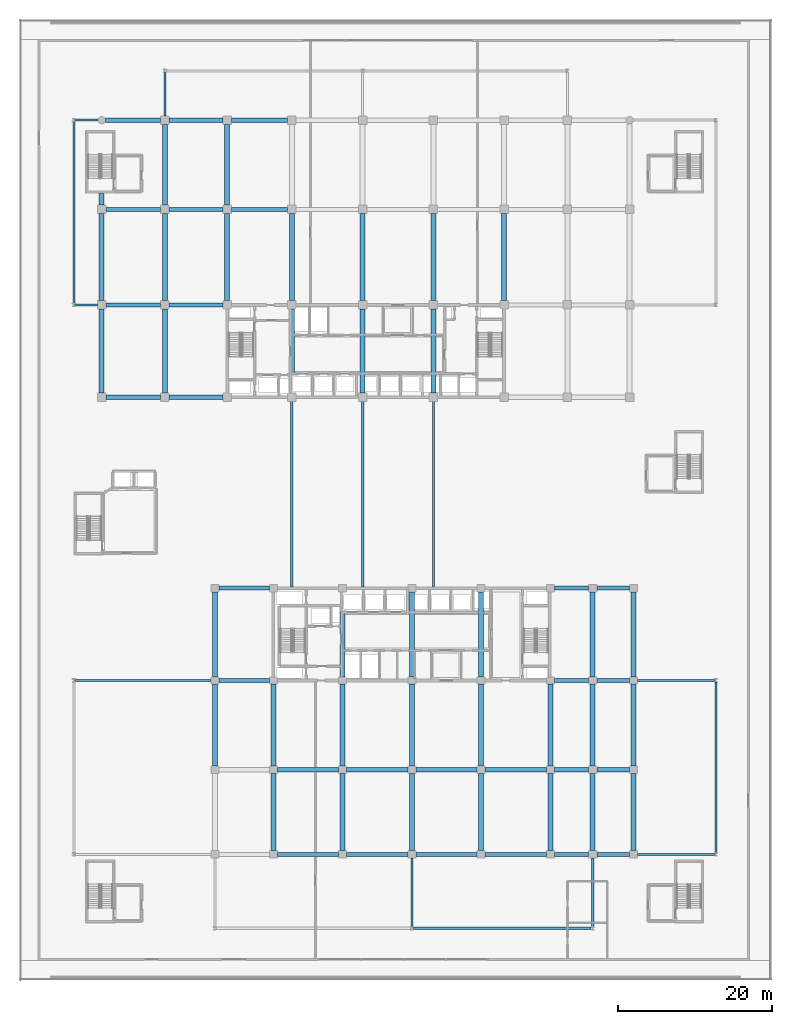
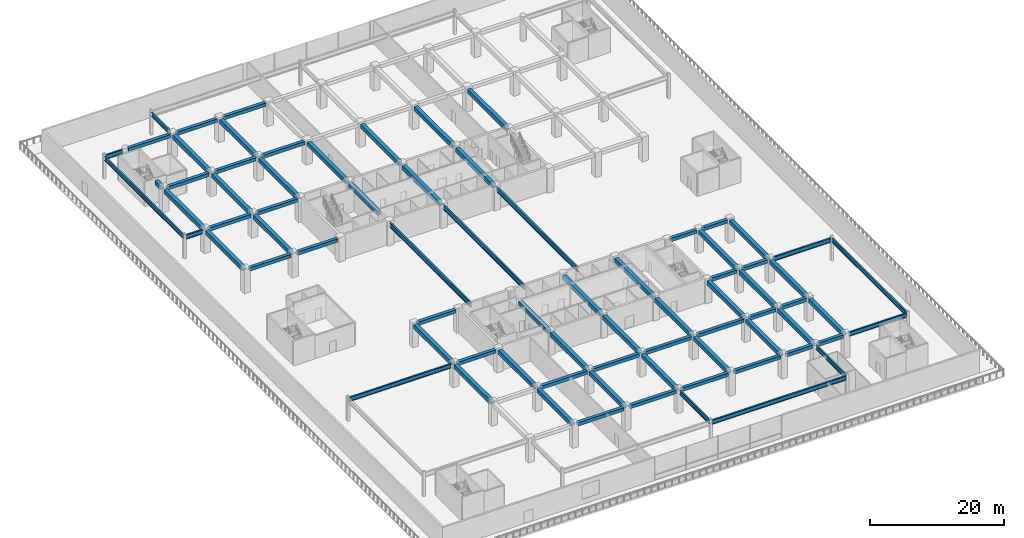
# One storey, part 11 of 40: 78 beams.
"""IFC4 building model written with IfcOpenShell, lengths in metres."""

from ifc_helpers import new_model, si_unit, direction, frame, origin, origin_2d, place, context, subcontext, project, spatial, rectangle, i_section, extrude, material, material_profile, profile_set, type_object, element, save


model = new_model("IFC4")

# Units and contexts
model_context = context("Model", 3, precision=1e-05, world=origin(), true_north=direction((0.0, 1.0)))
body_context = subcontext(model_context, "Body", "Model", "MODEL_VIEW")
ifc_project = project(units=[si_unit("LENGTHUNIT", "METRE"), si_unit("AREAUNIT", "SQUARE_METRE"), si_unit("VOLUMEUNIT", "CUBIC_METRE"), si_unit("PLANEANGLEUNIT", "RADIAN"), si_unit("MASSUNIT", "GRAM", prefix="KILO")], contexts=[model_context])

# Site, building, storey
site_placement = place(None, origin())
site = spatial("IfcSite", under=ifc_project, at=site_placement, CompositionType="ELEMENT")
building_placement = place(site_placement, origin())
building = spatial("IfcBuilding", under=site, at=building_placement, Name="Korimba Cascade Residences", CompositionType="ELEMENT")
storey_placement = place(building_placement, frame((0.0, 0.0, 14.5)))
storey = spatial("IfcBuildingStorey", under=building, at=storey_placement, Name="L03", CompositionType="ELEMENT", Elevation=14.5)

# Beams
ifc_material_1 = material(Name="Concrete C50/60", Category="concrete")
ifc_material_profile_1 = material_profile(ifc_material_1, rectangle(XDim=0.550048828125, YDim=0.60009765625, at=origin_2d()), Name="Concrete C50/60")
ifc_profile_set_1 = profile_set([ifc_material_profile_1], Name="Concrete C50/60")
beam_type_1 = type_object("IfcBeamType", Name="BM-RC-B600", PredefinedType="BEAM", material=ifc_profile_set_1)
beam_1_placement = place(storey_placement, frame((60.35009765625, 55.199951171875, 3.8798828125), z_axis=(1.0, 0.0, 0.0), x_axis=(0.0, 1.0, 0.0)))
element("IfcBeam", 1, at=beam_1_placement, inside=storey, type_object=beam_type_1, Name="L03 T1 E-W Girder Y1 Bay 1", PredefinedType="BEAM", context=body_context, shape_type="SweptSolid", body=[
    extrude(rectangle(XDim=0.550048828125, YDim=0.60009765625, at=origin_2d()), origin(), (0.0, 0.0, 1.0), 7.099853515625),
])
beam_2_placement = place(storey_placement, frame((68.550048828125, 55.199951171875, 3.8798828125), z_axis=(1.0, 0.0, 0.0), x_axis=(0.0, 1.0, 0.0)))
element("IfcBeam", 2, at=beam_2_placement, inside=storey, type_object=beam_type_1, Name="L03 T1 E-W Girder Y1 Bay 2", PredefinedType="BEAM", context=body_context, shape_type="SweptSolid", body=[
    extrude(rectangle(XDim=0.550048828125, YDim=0.60009765625, at=origin_2d()), origin(), (0.0, 0.0, 1.0), 7.0),
])
beam_3_placement = place(storey_placement, frame((60.35009765625, 67.199951171875, 3.8798828125), z_axis=(1.0, 0.0, 0.0), x_axis=(0.0, 1.0, 0.0)))
element("IfcBeam", 3, at=beam_3_placement, inside=storey, type_object=beam_type_1, Name="L03 T1 E-W Girder Y2 Bay 1", PredefinedType="BEAM", context=body_context, shape_type="SweptSolid", body=[
    extrude(rectangle(XDim=0.550048828125, YDim=0.60009765625, at=origin_2d()), origin(), (0.0, 0.0, 1.0), 7.099853515625),
])
beam_4_placement = place(storey_placement, frame((68.550048828125, 67.199951171875, 3.8798828125), z_axis=(1.0, 0.0, 0.0), x_axis=(0.0, 1.0, 0.0)))
element("IfcBeam", 4, at=beam_4_placement, inside=storey, type_object=beam_type_1, Name="L03 T1 E-W Girder Y2 Bay 2", PredefinedType="BEAM", context=body_context, shape_type="SweptSolid", body=[
    extrude(rectangle(XDim=0.550048828125, YDim=0.60009765625, at=origin_2d()), origin(), (0.0, 0.0, 1.0), 7.0),
])
beam_5_placement = place(storey_placement, frame((60.35009765625, 79.60009765625, 3.8798828125), z_axis=(1.0, 0.0, 0.0), x_axis=(0.0, 1.0, 0.0)))
element("IfcBeam", 5, at=beam_5_placement, inside=storey, type_object=beam_type_1, Name="L03 T1 E-W Girder Y3 Bay 1", PredefinedType="BEAM", context=body_context, shape_type="SweptSolid", body=[
    extrude(rectangle(XDim=0.550048828125, YDim=0.60009765625, at=origin_2d()), origin(), (0.0, 0.0, 1.0), 7.099853515625),
])
beam_6_placement = place(storey_placement, frame((68.550048828125, 79.60009765625, 3.8798828125), z_axis=(1.0, 0.0, 0.0), x_axis=(0.0, 1.0, 0.0)))
element("IfcBeam", 6, at=beam_6_placement, inside=storey, type_object=beam_type_1, Name="L03 T1 E-W Girder Y3 Bay 2", PredefinedType="BEAM", context=body_context, shape_type="SweptSolid", body=[
    extrude(rectangle(XDim=0.550048828125, YDim=0.60009765625, at=origin_2d()), origin(), (0.0, 0.0, 1.0), 7.0),
])
beam_7_placement = place(storey_placement, frame((76.64990234375, 79.60009765625, 3.8798828125), z_axis=(1.0, 0.0, 0.0), x_axis=(0.0, 1.0, 0.0)))
element("IfcBeam", 7, at=beam_7_placement, inside=storey, type_object=beam_type_1, Name="L03 T1 E-W Girder Y3 Bay 3", PredefinedType="BEAM", context=body_context, shape_type="SweptSolid", body=[
    extrude(rectangle(XDim=0.550048828125, YDim=0.60009765625, at=origin_2d()), origin(), (0.0, 0.0, 1.0), 7.300048828125),
])
beam_8_placement = place(storey_placement, frame((60.27490234375, 91.199951171875, 3.8798828125), z_axis=(1.0, 0.0, 0.0), x_axis=(0.0, 1.0, 0.0)))
element("IfcBeam", 8, at=beam_8_placement, inside=storey, type_object=beam_type_1, Name="L03 T1 E-W Girder Y4 Bay 1", PredefinedType="BEAM", context=body_context, shape_type="SweptSolid", body=[
    extrude(rectangle(XDim=0.550048828125, YDim=0.60009765625, at=origin_2d()), origin(), (0.0, 0.0, 1.0), 7.175048828125),
])
beam_9_placement = place(storey_placement, frame((68.550048828125, 91.199951171875, 3.8798828125), z_axis=(1.0, 0.0, 0.0), x_axis=(0.0, 1.0, 0.0)))
element("IfcBeam", 9, at=beam_9_placement, inside=storey, type_object=beam_type_1, Name="L03 T1 E-W Girder Y4 Bay 2", PredefinedType="BEAM", context=body_context, shape_type="SweptSolid", body=[
    extrude(rectangle(XDim=0.550048828125, YDim=0.60009765625, at=origin_2d()), origin(), (0.0, 0.0, 1.0), 7.0),
])
beam_10_placement = place(storey_placement, frame((76.64990234375, 91.199951171875, 3.8798828125), z_axis=(1.0, 0.0, 0.0), x_axis=(0.0, 1.0, 0.0)))
element("IfcBeam", 10, at=beam_10_placement, inside=storey, type_object=beam_type_1, Name="L03 T1 E-W Girder Y4 Bay 3", PredefinedType="BEAM", context=body_context, shape_type="SweptSolid", body=[
    extrude(rectangle(XDim=0.550048828125, YDim=0.60009765625, at=origin_2d()), origin(), (0.0, 0.0, 1.0), 7.300048828125),
])
for number, where, z_axis, x_axis, name in (
    (11, (82.625, -4.199951171875, 3.8798828125), (1.0, 0.0, 0.0), (0.0, 1.0, 0.0), "L03 T2 E-W Girder Y1 Bay 2"),
    (12, (91.625, -4.199951171875, 3.8798828125), (1.0, 0.0, 0.0), (0.0, 1.0, 0.0), "L03 T2 E-W Girder Y1 Bay 3"),
    (13, (100.625, -4.199951171875, 3.8798828125), (1.0, 0.0, 0.0), (0.0, 1.0, 0.0), "L03 T2 E-W Girder Y1 Bay 4"),
    (14, (109.625, -4.199951171875, 3.8798828125), (1.0, 0.0, 0.0), (0.0, 1.0, 0.0), "L03 T2 E-W Girder Y1 Bay 5"),
):
    element("IfcBeam", number, at=place(storey_placement, frame(where, z_axis=z_axis, x_axis=x_axis)), inside=storey, type_object=beam_type_1, Name=name, PredefinedType="BEAM", context=body_context, shape_type="SweptSolid", body=[
        extrude(rectangle(XDim=0.550048828125, YDim=0.60009765625, at=origin_2d()), origin(), (0.0, 0.0, 1.0), 7.949951171875),
    ])
beam_11_placement = place(storey_placement, frame((118.625, -4.199951171875, 3.8798828125), z_axis=(1.0, 0.0, 0.0), x_axis=(0.0, 1.0, 0.0)))
element("IfcBeam", 15, at=beam_11_placement, inside=storey, type_object=beam_type_1, Name="L03 T2 E-W Girder Y1 Bay 6", PredefinedType="BEAM", context=body_context, shape_type="SweptSolid", body=[
    extrude(rectangle(XDim=0.550048828125, YDim=0.60009765625, at=origin_2d()), origin(), (0.0, 0.0, 1.0), 4.449951171875),
])
beam_12_placement = place(storey_placement, frame((124.125, -4.199951171875, 3.8798828125), z_axis=(1.0, 0.0, 0.0), x_axis=(0.0, 1.0, 0.0)))
element("IfcBeam", 16, at=beam_12_placement, inside=storey, type_object=beam_type_1, Name="L03 T2 E-W Girder Y1 Bay 7", PredefinedType="BEAM", context=body_context, shape_type="SweptSolid", body=[
    extrude(rectangle(XDim=0.550048828125, YDim=0.60009765625, at=origin_2d()), origin(), (0.0, 0.0, 1.0), 4.25),
])
for number, where, z_axis, x_axis, name in (
    (17, (82.625, 6.800048828125, 3.8798828125), (1.0, 0.0, 0.0), (0.0, 1.0, 0.0), "L03 T2 E-W Girder Y2 Bay 2"),
    (18, (91.625, 6.800048828125, 3.8798828125), (1.0, 0.0, 0.0), (0.0, 1.0, 0.0), "L03 T2 E-W Girder Y2 Bay 3"),
    (19, (100.625, 6.800048828125, 3.8798828125), (1.0, 0.0, 0.0), (0.0, 1.0, 0.0), "L03 T2 E-W Girder Y2 Bay 4"),
    (20, (109.625, 6.800048828125, 3.8798828125), (1.0, 0.0, 0.0), (0.0, 1.0, 0.0), "L03 T2 E-W Girder Y2 Bay 5"),
):
    element("IfcBeam", number, at=place(storey_placement, frame(where, z_axis=z_axis, x_axis=x_axis)), inside=storey, type_object=beam_type_1, Name=name, PredefinedType="BEAM", context=body_context, shape_type="SweptSolid", body=[
        extrude(rectangle(XDim=0.550048828125, YDim=0.60009765625, at=origin_2d()), origin(), (0.0, 0.0, 1.0), 7.949951171875),
    ])
beam_13_placement = place(storey_placement, frame((118.625, 6.800048828125, 3.8798828125), z_axis=(1.0, 0.0, 0.0), x_axis=(0.0, 1.0, 0.0)))
element("IfcBeam", 21, at=beam_13_placement, inside=storey, type_object=beam_type_1, Name="L03 T2 E-W Girder Y2 Bay 6", PredefinedType="BEAM", context=body_context, shape_type="SweptSolid", body=[
    extrude(rectangle(XDim=0.550048828125, YDim=0.60009765625, at=origin_2d()), origin(), (0.0, 0.0, 1.0), 4.449951171875),
])
beam_14_placement = place(storey_placement, frame((124.125, 6.800048828125, 3.8798828125), z_axis=(1.0, 0.0, 0.0), x_axis=(0.0, 1.0, 0.0)))
element("IfcBeam", 22, at=beam_14_placement, inside=storey, type_object=beam_type_1, Name="L03 T2 E-W Girder Y2 Bay 7", PredefinedType="BEAM", context=body_context, shape_type="SweptSolid", body=[
    extrude(rectangle(XDim=0.550048828125, YDim=0.60009765625, at=origin_2d()), origin(), (0.0, 0.0, 1.0), 4.25),
])
beam_15_placement = place(storey_placement, frame((75.02490234375, 18.39990234375, 3.8798828125), z_axis=(1.0, 0.0, 0.0), x_axis=(0.0, 1.0, 0.0)))
element("IfcBeam", 23, at=beam_15_placement, inside=storey, type_object=beam_type_1, Name="L03 T2 E-W Girder Y3 Bay 1", PredefinedType="BEAM", context=body_context, shape_type="SweptSolid", body=[
    extrude(rectangle(XDim=0.550048828125, YDim=0.60009765625, at=origin_2d()), origin(), (0.0, 0.0, 1.0), 6.550048828125),
])
beam_16_placement = place(storey_placement, frame((118.625, 18.39990234375, 3.8798828125), z_axis=(1.0, 0.0, 0.0), x_axis=(0.0, 1.0, 0.0)))
element("IfcBeam", 24, at=beam_16_placement, inside=storey, type_object=beam_type_1, Name="L03 T2 E-W Girder Y3 Bay 6", PredefinedType="BEAM", context=body_context, shape_type="SweptSolid", body=[
    extrude(rectangle(XDim=0.550048828125, YDim=0.60009765625, at=origin_2d()), origin(), (0.0, 0.0, 1.0), 4.449951171875),
])
beam_17_placement = place(storey_placement, frame((124.125, 18.39990234375, 3.8798828125), z_axis=(1.0, 0.0, 0.0), x_axis=(0.0, 1.0, 0.0)))
element("IfcBeam", 25, at=beam_17_placement, inside=storey, type_object=beam_type_1, Name="L03 T2 E-W Girder Y3 Bay 7", PredefinedType="BEAM", context=body_context, shape_type="SweptSolid", body=[
    extrude(rectangle(XDim=0.550048828125, YDim=0.60009765625, at=origin_2d()), origin(), (0.0, 0.0, 1.0), 4.25),
])
beam_18_placement = place(storey_placement, frame((75.02490234375, 30.39990234375, 3.8798828125), z_axis=(1.0, 0.0, 0.0), x_axis=(0.0, 1.0, 0.0)))
element("IfcBeam", 26, at=beam_18_placement, inside=storey, type_object=beam_type_1, Name="L03 T2 E-W Girder Y4 Bay 1", PredefinedType="BEAM", context=body_context, shape_type="SweptSolid", body=[
    extrude(rectangle(XDim=0.550048828125, YDim=0.60009765625, at=origin_2d()), origin(), (0.0, 0.0, 1.0), 6.550048828125),
])
beam_19_placement = place(storey_placement, frame((118.625, 30.39990234375, 3.8798828125), z_axis=(1.0, 0.0, 0.0), x_axis=(0.0, 1.0, 0.0)))
element("IfcBeam", 27, at=beam_19_placement, inside=storey, type_object=beam_type_1, Name="L03 T2 E-W Girder Y4 Bay 6", PredefinedType="BEAM", context=body_context, shape_type="SweptSolid", body=[
    extrude(rectangle(XDim=0.550048828125, YDim=0.60009765625, at=origin_2d()), origin(), (0.0, 0.0, 1.0), 4.449951171875),
])
beam_20_placement = place(storey_placement, frame((124.125, 30.39990234375, 3.8798828125), z_axis=(1.0, 0.0, 0.0), x_axis=(0.0, 1.0, 0.0)))
element("IfcBeam", 28, at=beam_20_placement, inside=storey, type_object=beam_type_1, Name="L03 T2 E-W Girder Y4 Bay 7", PredefinedType="BEAM", context=body_context, shape_type="SweptSolid", body=[
    extrude(rectangle(XDim=0.550048828125, YDim=0.60009765625, at=origin_2d()), origin(), (0.0, 0.0, 1.0), 4.25),
])
ifc_material_profile_2 = material_profile(ifc_material_1, rectangle(XDim=0.64990234375, YDim=0.75, at=origin_2d()), Name="Concrete C50/60")
ifc_profile_set_2 = profile_set([ifc_material_profile_2], Name="Concrete C50/60")
beam_type_2 = type_object("IfcBeamType", Name="BM-RC-G750", PredefinedType="BEAM", material=ifc_profile_set_2)
beam_21_placement = place(storey_placement, frame((59.800048828125, 55.75, 3.804931640625), z_axis=(0.0, 1.0, 0.0), x_axis=(-1.0, 0.0, 0.0)))
element("IfcBeam", 29, at=beam_21_placement, inside=storey, type_object=beam_type_2, Name="L03 T1 N-S Girder X1 Seg 1", PredefinedType="BEAM", context=body_context, shape_type="SweptSolid", body=[
    extrude(rectangle(XDim=0.64990234375, YDim=0.75, at=origin_2d()), origin(), (0.0, 0.0, 1.0), 10.89990234375),
])
beam_22_placement = place(storey_placement, frame((59.800048828125, 67.75, 3.804931640625), z_axis=(0.0, 1.0, 0.0), x_axis=(-1.0, 0.0, 0.0)))
element("IfcBeam", 30, at=beam_22_placement, inside=storey, type_object=beam_type_2, Name="L03 T1 N-S Girder X1 Seg 2", PredefinedType="BEAM", context=body_context, shape_type="SweptSolid", body=[
    extrude(rectangle(XDim=0.64990234375, YDim=0.75, at=origin_2d()), origin(), (0.0, 0.0, 1.0), 11.300048828125),
])
beam_23_placement = place(storey_placement, frame((59.800048828125, 80.14990234375, 3.804931640625), z_axis=(0.0, 1.0, 0.0), x_axis=(-1.0, 0.0, 0.0)))
element("IfcBeam", 31, at=beam_23_placement, inside=storey, type_object=beam_type_2, Name="L03 T1 N-S Girder X1 Seg 3", PredefinedType="BEAM", context=body_context, shape_type="SweptSolid", body=[
    extrude(rectangle(XDim=0.64990234375, YDim=0.75, at=origin_2d()), origin(), (0.0, 0.0, 1.0), 1.550048828125),
])
beam_24_placement = place(storey_placement, frame((68.0, 55.75, 3.804931640625), z_axis=(0.0, 1.0, 0.0), x_axis=(-1.0, 0.0, 0.0)))
element("IfcBeam", 32, at=beam_24_placement, inside=storey, type_object=beam_type_2, Name="L03 T1 N-S Girder X2 Seg 1", PredefinedType="BEAM", context=body_context, shape_type="SweptSolid", body=[
    extrude(rectangle(XDim=0.64990234375, YDim=0.75, at=origin_2d()), origin(), (0.0, 0.0, 1.0), 10.89990234375),
])
beam_25_placement = place(storey_placement, frame((68.0, 67.75, 3.804931640625), z_axis=(0.0, 1.0, 0.0), x_axis=(-1.0, 0.0, 0.0)))
element("IfcBeam", 33, at=beam_25_placement, inside=storey, type_object=beam_type_2, Name="L03 T1 N-S Girder X2 Seg 2", PredefinedType="BEAM", context=body_context, shape_type="SweptSolid", body=[
    extrude(rectangle(XDim=0.64990234375, YDim=0.75, at=origin_2d()), origin(), (0.0, 0.0, 1.0), 11.300048828125),
])
beam_26_placement = place(storey_placement, frame((68.0, 80.14990234375, 3.804931640625), z_axis=(0.0, 1.0, 0.0), x_axis=(-1.0, 0.0, 0.0)))
element("IfcBeam", 34, at=beam_26_placement, inside=storey, type_object=beam_type_2, Name="L03 T1 N-S Girder X2 Seg 3", PredefinedType="BEAM", context=body_context, shape_type="SweptSolid", body=[
    extrude(rectangle(XDim=0.64990234375, YDim=0.75, at=origin_2d()), origin(), (0.0, 0.0, 1.0), 10.5),
])
beam_27_placement = place(storey_placement, frame((76.10009765625, 67.75, 3.804931640625), z_axis=(0.0, 1.0, 0.0), x_axis=(-1.0, 0.0, 0.0)))
element("IfcBeam", 35, at=beam_27_placement, inside=storey, type_object=beam_type_2, Name="L03 T1 N-S Girder X3 Seg 2", PredefinedType="BEAM", context=body_context, shape_type="SweptSolid", body=[
    extrude(rectangle(XDim=0.64990234375, YDim=0.75, at=origin_2d()), origin(), (0.0, 0.0, 1.0), 11.300048828125),
])
beam_28_placement = place(storey_placement, frame((76.10009765625, 80.14990234375, 3.804931640625), z_axis=(0.0, 1.0, 0.0), x_axis=(-1.0, 0.0, 0.0)))
element("IfcBeam", 36, at=beam_28_placement, inside=storey, type_object=beam_type_2, Name="L03 T1 N-S Girder X3 Seg 3", PredefinedType="BEAM", context=body_context, shape_type="SweptSolid", body=[
    extrude(rectangle(XDim=0.64990234375, YDim=0.75, at=origin_2d()), origin(), (0.0, 0.0, 1.0), 10.5),
])
beam_29_placement = place(storey_placement, frame((84.5, 58.159912109375, 3.804931640625), z_axis=(0.0, 1.0, 0.0), x_axis=(-1.0, 0.0, 0.0)))
element("IfcBeam", 37, at=beam_29_placement, inside=storey, type_object=beam_type_2, Name="L03 T1 N-S Girder X4 Seg 1", PredefinedType="BEAM", context=body_context, shape_type="SweptSolid", body=[
    extrude(rectangle(XDim=0.64990234375, YDim=0.75, at=origin_2d()), origin(), (0.0, 0.0, 1.0), 8.489990234375),
])
beam_30_placement = place(storey_placement, frame((84.5, 67.75, 3.804931640625), z_axis=(0.0, 1.0, 0.0), x_axis=(-1.0, 0.0, 0.0)))
element("IfcBeam", 38, at=beam_30_placement, inside=storey, type_object=beam_type_2, Name="L03 T1 N-S Girder X4 Seg 2", PredefinedType="BEAM", context=body_context, shape_type="SweptSolid", body=[
    extrude(rectangle(XDim=0.64990234375, YDim=0.75, at=origin_2d()), origin(), (0.0, 0.0, 1.0), 11.300048828125),
])
beam_31_placement = place(storey_placement, frame((93.699951171875, 55.75, 3.804931640625), z_axis=(0.0, 1.0, 0.0), x_axis=(-1.0, 0.0, 0.0)))
element("IfcBeam", 39, at=beam_31_placement, inside=storey, type_object=beam_type_2, Name="L03 T1 N-S Girder X5 Seg 1", PredefinedType="BEAM", context=body_context, shape_type="SweptSolid", body=[
    extrude(rectangle(XDim=0.64990234375, YDim=0.75, at=origin_2d()), origin(), (0.0, 0.0, 1.0), 10.89990234375),
])
beam_32_placement = place(storey_placement, frame((93.699951171875, 67.75, 3.804931640625), z_axis=(0.0, 1.0, 0.0), x_axis=(-1.0, 0.0, 0.0)))
element("IfcBeam", 40, at=beam_32_placement, inside=storey, type_object=beam_type_2, Name="L03 T1 N-S Girder X5 Seg 2", PredefinedType="BEAM", context=body_context, shape_type="SweptSolid", body=[
    extrude(rectangle(XDim=0.64990234375, YDim=0.75, at=origin_2d()), origin(), (0.0, 0.0, 1.0), 11.300048828125),
])
beam_33_placement = place(storey_placement, frame((102.89990234375, 55.75, 3.804931640625), z_axis=(0.0, 1.0, 0.0), x_axis=(-1.0, 0.0, 0.0)))
element("IfcBeam", 41, at=beam_33_placement, inside=storey, type_object=beam_type_2, Name="L03 T1 N-S Girder X6 Seg 1", PredefinedType="BEAM", context=body_context, shape_type="SweptSolid", body=[
    extrude(rectangle(XDim=0.64990234375, YDim=0.75, at=origin_2d()), origin(), (0.0, 0.0, 1.0), 10.89990234375),
])
for number, where, z_axis, x_axis, name in (
    (42, (102.89990234375, 67.75, 3.804931640625), (0.0, 1.0, 0.0), (-1.0, 0.0, 0.0), "L03 T1 N-S Girder X6 Seg 2"),
    (43, (112.10009765625, 67.75, 3.804931640625), (0.0, 1.0, 0.0), (-1.0, 0.0, 0.0), "L03 T1 N-S Girder X7 Seg 2"),
):
    element("IfcBeam", number, at=place(storey_placement, frame(where, z_axis=z_axis, x_axis=x_axis)), inside=storey, type_object=beam_type_2, Name=name, PredefinedType="BEAM", context=body_context, shape_type="SweptSolid", body=[
        extrude(rectangle(XDim=0.64990234375, YDim=0.75, at=origin_2d()), origin(), (0.0, 0.0, 1.0), 11.300048828125),
    ])
beam_34_placement = place(storey_placement, frame((74.5, 7.27490234375, 3.804931640625), z_axis=(0.0, 1.0, 0.0), x_axis=(-1.0, 0.0, 0.0)))
element("IfcBeam", 44, at=beam_34_placement, inside=storey, type_object=beam_type_2, Name="L03 T2 N-S Girder X1 Seg 2", PredefinedType="BEAM", context=body_context, shape_type="SweptSolid", body=[
    extrude(rectangle(XDim=0.64990234375, YDim=0.75, at=origin_2d()), origin(), (0.0, 0.0, 1.0), 10.650146484375),
])
beam_35_placement = place(storey_placement, frame((74.5, 18.875, 3.804931640625), z_axis=(0.0, 1.0, 0.0), x_axis=(-1.0, 0.0, 0.0)))
element("IfcBeam", 45, at=beam_35_placement, inside=storey, type_object=beam_type_2, Name="L03 T2 N-S Girder X1 Seg 3", PredefinedType="BEAM", context=body_context, shape_type="SweptSolid", body=[
    extrude(rectangle(XDim=0.64990234375, YDim=0.75, at=origin_2d()), origin(), (0.0, 0.0, 1.0), 11.050048828125),
])
beam_36_placement = place(storey_placement, frame((82.10009765625, -3.72509765625, 3.804931640625), z_axis=(0.0, 1.0, 0.0), x_axis=(-1.0, 0.0, 0.0)))
element("IfcBeam", 46, at=beam_36_placement, inside=storey, type_object=beam_type_2, Name="L03 T2 N-S Girder X2 Seg 1", PredefinedType="BEAM", context=body_context, shape_type="SweptSolid", body=[
    extrude(rectangle(XDim=0.64990234375, YDim=0.75, at=origin_2d()), origin(), (0.0, 0.0, 1.0), 10.050048828125),
])
beam_37_placement = place(storey_placement, frame((82.10009765625, 7.27490234375, 3.804931640625), z_axis=(0.0, 1.0, 0.0), x_axis=(-1.0, 0.0, 0.0)))
element("IfcBeam", 47, at=beam_37_placement, inside=storey, type_object=beam_type_2, Name="L03 T2 N-S Girder X2 Seg 2", PredefinedType="BEAM", context=body_context, shape_type="SweptSolid", body=[
    extrude(rectangle(XDim=0.64990234375, YDim=0.75, at=origin_2d()), origin(), (0.0, 0.0, 1.0), 10.650146484375),
])
beam_38_placement = place(storey_placement, frame((91.10009765625, -3.72509765625, 3.804931640625), z_axis=(0.0, 1.0, 0.0), x_axis=(-1.0, 0.0, 0.0)))
element("IfcBeam", 48, at=beam_38_placement, inside=storey, type_object=beam_type_2, Name="L03 T2 N-S Girder X3 Seg 1", PredefinedType="BEAM", context=body_context, shape_type="SweptSolid", body=[
    extrude(rectangle(XDim=0.64990234375, YDim=0.75, at=origin_2d()), origin(), (0.0, 0.0, 1.0), 10.050048828125),
])
beam_39_placement = place(storey_placement, frame((91.10009765625, 7.27490234375, 3.804931640625), z_axis=(0.0, 1.0, 0.0), x_axis=(-1.0, 0.0, 0.0)))
element("IfcBeam", 49, at=beam_39_placement, inside=storey, type_object=beam_type_2, Name="L03 T2 N-S Girder X3 Seg 2", PredefinedType="BEAM", context=body_context, shape_type="SweptSolid", body=[
    extrude(rectangle(XDim=0.64990234375, YDim=0.75, at=origin_2d()), origin(), (0.0, 0.0, 1.0), 10.650146484375),
])
beam_40_placement = place(storey_placement, frame((91.10009765625, 18.875, 3.804931640625), z_axis=(0.0, 1.0, 0.0), x_axis=(-1.0, 0.0, 0.0)))
element("IfcBeam", 50, at=beam_40_placement, inside=storey, type_object=beam_type_2, Name="L03 T2 N-S Girder X3 Seg 3", PredefinedType="BEAM", context=body_context, shape_type="SweptSolid", body=[
    extrude(rectangle(XDim=0.64990234375, YDim=0.75, at=origin_2d()), origin(), (0.0, 0.0, 1.0), 8.465087890625),
])
beam_41_placement = place(storey_placement, frame((100.10009765625, -3.72509765625, 3.804931640625), z_axis=(0.0, 1.0, 0.0), x_axis=(-1.0, 0.0, 0.0)))
element("IfcBeam", 51, at=beam_41_placement, inside=storey, type_object=beam_type_2, Name="L03 T2 N-S Girder X4 Seg 1", PredefinedType="BEAM", context=body_context, shape_type="SweptSolid", body=[
    extrude(rectangle(XDim=0.64990234375, YDim=0.75, at=origin_2d()), origin(), (0.0, 0.0, 1.0), 10.050048828125),
])
beam_42_placement = place(storey_placement, frame((100.10009765625, 7.27490234375, 3.804931640625), z_axis=(0.0, 1.0, 0.0), x_axis=(-1.0, 0.0, 0.0)))
element("IfcBeam", 52, at=beam_42_placement, inside=storey, type_object=beam_type_2, Name="L03 T2 N-S Girder X4 Seg 2", PredefinedType="BEAM", context=body_context, shape_type="SweptSolid", body=[
    extrude(rectangle(XDim=0.64990234375, YDim=0.75, at=origin_2d()), origin(), (0.0, 0.0, 1.0), 10.650146484375),
])
beam_43_placement = place(storey_placement, frame((100.10009765625, 18.875, 3.804931640625), z_axis=(0.0, 1.0, 0.0), x_axis=(-1.0, 0.0, 0.0)))
element("IfcBeam", 53, at=beam_43_placement, inside=storey, type_object=beam_type_2, Name="L03 T2 N-S Girder X4 Seg 3", PredefinedType="BEAM", context=body_context, shape_type="SweptSolid", body=[
    extrude(rectangle(XDim=0.64990234375, YDim=0.75, at=origin_2d()), origin(), (0.0, 0.0, 1.0), 11.050048828125),
])
beam_44_placement = place(storey_placement, frame((109.10009765625, -3.72509765625, 3.804931640625), z_axis=(0.0, 1.0, 0.0), x_axis=(-1.0, 0.0, 0.0)))
element("IfcBeam", 54, at=beam_44_placement, inside=storey, type_object=beam_type_2, Name="L03 T2 N-S Girder X5 Seg 1", PredefinedType="BEAM", context=body_context, shape_type="SweptSolid", body=[
    extrude(rectangle(XDim=0.64990234375, YDim=0.75, at=origin_2d()), origin(), (0.0, 0.0, 1.0), 10.050048828125),
])
beam_45_placement = place(storey_placement, frame((109.10009765625, 7.27490234375, 3.804931640625), z_axis=(0.0, 1.0, 0.0), x_axis=(-1.0, 0.0, 0.0)))
element("IfcBeam", 55, at=beam_45_placement, inside=storey, type_object=beam_type_2, Name="L03 T2 N-S Girder X5 Seg 2", PredefinedType="BEAM", context=body_context, shape_type="SweptSolid", body=[
    extrude(rectangle(XDim=0.64990234375, YDim=0.75, at=origin_2d()), origin(), (0.0, 0.0, 1.0), 10.650146484375),
])
beam_46_placement = place(storey_placement, frame((109.10009765625, 18.875, 3.804931640625), z_axis=(0.0, 1.0, 0.0), x_axis=(-1.0, 0.0, 0.0)))
element("IfcBeam", 56, at=beam_46_placement, inside=storey, type_object=beam_type_2, Name="L03 T2 N-S Girder X5 Seg 3", PredefinedType="BEAM", context=body_context, shape_type="SweptSolid", body=[
    extrude(rectangle(XDim=0.64990234375, YDim=0.75, at=origin_2d()), origin(), (0.0, 0.0, 1.0), 11.050048828125),
])
beam_47_placement = place(storey_placement, frame((118.10009765625, -3.72509765625, 3.804931640625), z_axis=(0.0, 1.0, 0.0), x_axis=(-1.0, 0.0, 0.0)))
element("IfcBeam", 57, at=beam_47_placement, inside=storey, type_object=beam_type_2, Name="L03 T2 N-S Girder X6 Seg 1", PredefinedType="BEAM", context=body_context, shape_type="SweptSolid", body=[
    extrude(rectangle(XDim=0.64990234375, YDim=0.75, at=origin_2d()), origin(), (0.0, 0.0, 1.0), 10.050048828125),
])
beam_48_placement = place(storey_placement, frame((118.10009765625, 7.27490234375, 3.804931640625), z_axis=(0.0, 1.0, 0.0), x_axis=(-1.0, 0.0, 0.0)))
element("IfcBeam", 58, at=beam_48_placement, inside=storey, type_object=beam_type_2, Name="L03 T2 N-S Girder X6 Seg 2", PredefinedType="BEAM", context=body_context, shape_type="SweptSolid", body=[
    extrude(rectangle(XDim=0.64990234375, YDim=0.75, at=origin_2d()), origin(), (0.0, 0.0, 1.0), 10.650146484375),
])
beam_49_placement = place(storey_placement, frame((123.60009765625, -3.72509765625, 3.804931640625), z_axis=(0.0, 1.0, 0.0), x_axis=(-1.0, 0.0, 0.0)))
element("IfcBeam", 59, at=beam_49_placement, inside=storey, type_object=beam_type_2, Name="L03 T2 N-S Girder X7 Seg 1", PredefinedType="BEAM", context=body_context, shape_type="SweptSolid", body=[
    extrude(rectangle(XDim=0.64990234375, YDim=0.75, at=origin_2d()), origin(), (0.0, 0.0, 1.0), 10.050048828125),
])
beam_50_placement = place(storey_placement, frame((123.60009765625, 7.27490234375, 3.804931640625), z_axis=(0.0, 1.0, 0.0), x_axis=(-1.0, 0.0, 0.0)))
element("IfcBeam", 60, at=beam_50_placement, inside=storey, type_object=beam_type_2, Name="L03 T2 N-S Girder X7 Seg 2", PredefinedType="BEAM", context=body_context, shape_type="SweptSolid", body=[
    extrude(rectangle(XDim=0.64990234375, YDim=0.75, at=origin_2d()), origin(), (0.0, 0.0, 1.0), 10.650146484375),
])
beam_51_placement = place(storey_placement, frame((123.60009765625, 18.875, 3.804931640625), z_axis=(0.0, 1.0, 0.0), x_axis=(-1.0, 0.0, 0.0)))
element("IfcBeam", 61, at=beam_51_placement, inside=storey, type_object=beam_type_2, Name="L03 T2 N-S Girder X7 Seg 3", PredefinedType="BEAM", context=body_context, shape_type="SweptSolid", body=[
    extrude(rectangle(XDim=0.64990234375, YDim=0.75, at=origin_2d()), origin(), (0.0, 0.0, 1.0), 11.050048828125),
])
beam_52_placement = place(storey_placement, frame((128.89990234375, -3.72509765625, 3.804931640625), z_axis=(0.0, 1.0, 0.0), x_axis=(-1.0, 0.0, 0.0)))
element("IfcBeam", 62, at=beam_52_placement, inside=storey, type_object=beam_type_2, Name="L03 T2 N-S Girder X8 Seg 1", PredefinedType="BEAM", context=body_context, shape_type="SweptSolid", body=[
    extrude(rectangle(XDim=0.64990234375, YDim=0.75, at=origin_2d()), origin(), (0.0, 0.0, 1.0), 10.050048828125),
])
beam_53_placement = place(storey_placement, frame((128.89990234375, 7.27490234375, 3.804931640625), z_axis=(0.0, 1.0, 0.0), x_axis=(-1.0, 0.0, 0.0)))
element("IfcBeam", 63, at=beam_53_placement, inside=storey, type_object=beam_type_2, Name="L03 T2 N-S Girder X8 Seg 2", PredefinedType="BEAM", context=body_context, shape_type="SweptSolid", body=[
    extrude(rectangle(XDim=0.64990234375, YDim=0.75, at=origin_2d()), origin(), (0.0, 0.0, 1.0), 10.650146484375),
])
beam_54_placement = place(storey_placement, frame((128.89990234375, 18.875, 3.804931640625), z_axis=(0.0, 1.0, 0.0), x_axis=(-1.0, 0.0, 0.0)))
element("IfcBeam", 64, at=beam_54_placement, inside=storey, type_object=beam_type_2, Name="L03 T2 N-S Girder X8 Seg 3", PredefinedType="BEAM", context=body_context, shape_type="SweptSolid", body=[
    extrude(rectangle(XDim=0.64990234375, YDim=0.75, at=origin_2d()), origin(), (0.0, 0.0, 1.0), 11.050048828125),
])
ifc_material_2 = material(Name="Steel S355", Category="steel")
ifc_material_profile_3 = material_profile(ifc_material_2, i_section(OverallWidth=0.26806640625, OverallDepth=0.769775390625, WebThickness=0.015625, FlangeThickness=0.025390625, FilletRadius=0.0166015625, at=origin_2d()), Name="Steel S355")
ifc_profile_set_3 = profile_set([ifc_material_profile_3], Name="Steel S355")
beam_type_3 = type_object("IfcBeamType", Name="BM-STL-UB762", PredefinedType="BEAM", material=ifc_profile_set_3)
beam_55_placement = place(storey_placement, frame((56.3994140625, 18.39990234375, 3.795166015625), z_axis=(1.0, 0.0, 0.0), x_axis=(0.0, 1.0, 0.0)))
element("IfcBeam", 65, at=beam_55_placement, inside=storey, type_object=beam_type_3, Name="L03 Podium Frame Girder W2", PredefinedType="BEAM", context=body_context, shape_type="SweptSolid", body=[
    extrude(i_section(OverallWidth=0.26806640625, OverallDepth=0.769775390625, WebThickness=0.015625, FlangeThickness=0.025390625, FilletRadius=0.0166015625, at=origin_2d()), origin(), (0.0, 0.0, 1.0), 17.57568359375),
])
beam_56_placement = place(storey_placement, frame((56.3994140625, 67.199951171875, 3.795166015625), z_axis=(1.0, 0.0, 0.0), x_axis=(0.0, 1.0, 0.0)))
element("IfcBeam", 66, at=beam_56_placement, inside=storey, type_object=beam_type_3, Name="L03 Podium Frame Girder W3", PredefinedType="BEAM", context=body_context, shape_type="SweptSolid", body=[
    extrude(i_section(OverallWidth=0.26806640625, OverallDepth=0.769775390625, WebThickness=0.015625, FlangeThickness=0.025390625, FilletRadius=0.0166015625, at=origin_2d()), origin(), (0.0, 0.0, 1.0), 2.8505859375),
])
beam_57_placement = place(storey_placement, frame((56.3994140625, 91.199951171875, 3.795166015625), z_axis=(1.0, 0.0, 0.0), x_axis=(0.0, 1.0, 0.0)))
element("IfcBeam", 67, at=beam_57_placement, inside=storey, type_object=beam_type_3, Name="L03 Podium Frame Girder W4", PredefinedType="BEAM", context=body_context, shape_type="SweptSolid", body=[
    extrude(i_section(OverallWidth=0.26806640625, OverallDepth=0.769775390625, WebThickness=0.015625, FlangeThickness=0.025390625, FilletRadius=0.0166015625, at=origin_2d()), origin(), (0.0, 0.0, 1.0), 2.925537109375),
])
beam_58_placement = place(storey_placement, frame((56.199951171875, 67.396728515625, 3.795166015625), z_axis=(0.0, 1.0, 0.0), x_axis=(-1.0, 0.0, 0.0)))
element("IfcBeam", 68, at=beam_58_placement, inside=storey, type_object=beam_type_3, Name="L03 Podium Frame Girder WS", PredefinedType="BEAM", context=body_context, shape_type="SweptSolid", body=[
    extrude(i_section(OverallWidth=0.26806640625, OverallDepth=0.769775390625, WebThickness=0.015625, FlangeThickness=0.025390625, FilletRadius=0.0166015625, at=origin_2d()), origin(), (0.0, 0.0, 1.0), 23.6064453125),
])
for number, where, z_axis, x_axis, name in (
    (69, (129.425048828125, -4.199951171875, 3.795166015625), (1.0, 0.0, 0.0), (0.0, 1.0, 0.0), "L03 Podium Frame Girder E1"),
    (70, (129.425048828125, 18.39990234375, 3.795166015625), (1.0, 0.0, 0.0), (0.0, 1.0, 0.0), "L03 Podium Frame Girder E2"),
):
    element("IfcBeam", number, at=place(storey_placement, frame(where, z_axis=z_axis, x_axis=x_axis)), inside=storey, type_object=beam_type_3, Name=name, PredefinedType="BEAM", context=body_context, shape_type="SweptSolid", body=[
        extrude(i_section(OverallWidth=0.26806640625, OverallDepth=0.769775390625, WebThickness=0.015625, FlangeThickness=0.025390625, FilletRadius=0.0166015625, at=origin_2d()), origin(), (0.0, 0.0, 1.0), 9.975341796875),
    ])
beam_59_placement = place(storey_placement, frame((139.60009765625, -4.003173828125, 3.795166015625), z_axis=(0.0, 1.0, 0.0), x_axis=(-1.0, 0.0, 0.0)))
element("IfcBeam", 71, at=beam_59_placement, inside=storey, type_object=beam_type_3, Name="L03 Podium Frame Girder EN", PredefinedType="BEAM", context=body_context, shape_type="SweptSolid", body=[
    extrude(i_section(OverallWidth=0.26806640625, OverallDepth=0.769775390625, WebThickness=0.015625, FlangeThickness=0.025390625, FilletRadius=0.0166015625, at=origin_2d()), origin(), (0.0, 0.0, 1.0), 22.206298828125),
])
for number, where, z_axis, x_axis, name in (
    (72, (100.10009765625, -13.603271484375, 3.795166015625), (0.0, 1.0, 0.0), (-1.0, 0.0, 0.0), "L03 Podium Frame Girder S2"),
    (73, (123.60009765625, -13.603271484375, 3.795166015625), (0.0, 1.0, 0.0), (-1.0, 0.0, 0.0), "L03 Podium Frame Girder S3"),
):
    element("IfcBeam", number, at=place(storey_placement, frame(where, z_axis=z_axis, x_axis=x_axis)), inside=storey, type_object=beam_type_3, Name=name, PredefinedType="BEAM", context=body_context, shape_type="SweptSolid", body=[
        extrude(i_section(OverallWidth=0.26806640625, OverallDepth=0.769775390625, WebThickness=0.015625, FlangeThickness=0.025390625, FilletRadius=0.0166015625, at=origin_2d()), origin(), (0.0, 0.0, 1.0), 8.92822265625),
    ])
beam_60_placement = place(storey_placement, frame((100.299560546875, -13.800048828125, 3.795166015625), z_axis=(1.0, 0.0, 0.0), x_axis=(0.0, 1.0, 0.0)))
element("IfcBeam", 74, at=beam_60_placement, inside=storey, type_object=beam_type_3, Name="L03 Podium Frame Girder SH2", PredefinedType="BEAM", context=body_context, shape_type="SweptSolid", body=[
    extrude(i_section(OverallWidth=0.26806640625, OverallDepth=0.769775390625, WebThickness=0.015625, FlangeThickness=0.025390625, FilletRadius=0.0166015625, at=origin_2d()), origin(), (0.0, 0.0, 1.0), 23.100830078125),
])
beam_61_placement = place(storey_placement, frame((68.0, 91.75, 3.795166015625), z_axis=(0.0, 1.0, 0.0), x_axis=(-1.0, 0.0, 0.0)))
element("IfcBeam", 75, at=beam_61_placement, inside=storey, type_object=beam_type_3, Name="L03 Podium Frame Girder N1", PredefinedType="BEAM", context=body_context, shape_type="SweptSolid", body=[
    extrude(i_section(OverallWidth=0.26806640625, OverallDepth=0.769775390625, WebThickness=0.015625, FlangeThickness=0.025390625, FilletRadius=0.0166015625, at=origin_2d()), origin(), (0.0, 0.0, 1.0), 5.6533203125),
])
ifc_material_profile_4 = material_profile(ifc_material_2, i_section(OverallWidth=0.293701171875, OverallDepth=0.850830078125, WebThickness=0.01611328125, FlangeThickness=0.02685546875, FilletRadius=0.017822265625, at=origin_2d()), Name="Steel S355")
ifc_profile_set_4 = profile_set([ifc_material_profile_4], Name="Steel S355")
beam_type_4 = type_object("IfcBeamType", Name="BM-STL-UB838", PredefinedType="BEAM", material=ifc_profile_set_4)
for number, where, z_axis, x_axis, name in (
    (76, (84.5, 30.574951171875, 3.75439453125), (0.0, 1.0, 0.0), (-1.0, 0.0, 0.0), "L03 Podium Canyon Girder 1"),
    (77, (93.699951171875, 30.574951171875, 3.75439453125), (0.0, 1.0, 0.0), (-1.0, 0.0, 0.0), "L03 Podium Canyon Girder 2"),
    (78, (102.89990234375, 30.574951171875, 3.75439453125), (0.0, 1.0, 0.0), (-1.0, 0.0, 0.0), "L03 Podium Canyon Girder 3"),
):
    element("IfcBeam", number, at=place(storey_placement, frame(where, z_axis=z_axis, x_axis=x_axis)), inside=storey, type_object=beam_type_4, Name=name, PredefinedType="BEAM", context=body_context, shape_type="SweptSolid", body=[
        extrude(i_section(OverallWidth=0.293701171875, OverallDepth=0.850830078125, WebThickness=0.01611328125, FlangeThickness=0.02685546875, FilletRadius=0.017822265625, at=origin_2d()), origin(), (0.0, 0.0, 1.0), 24.449951171875),
    ])

save(model, "model.ifc")
